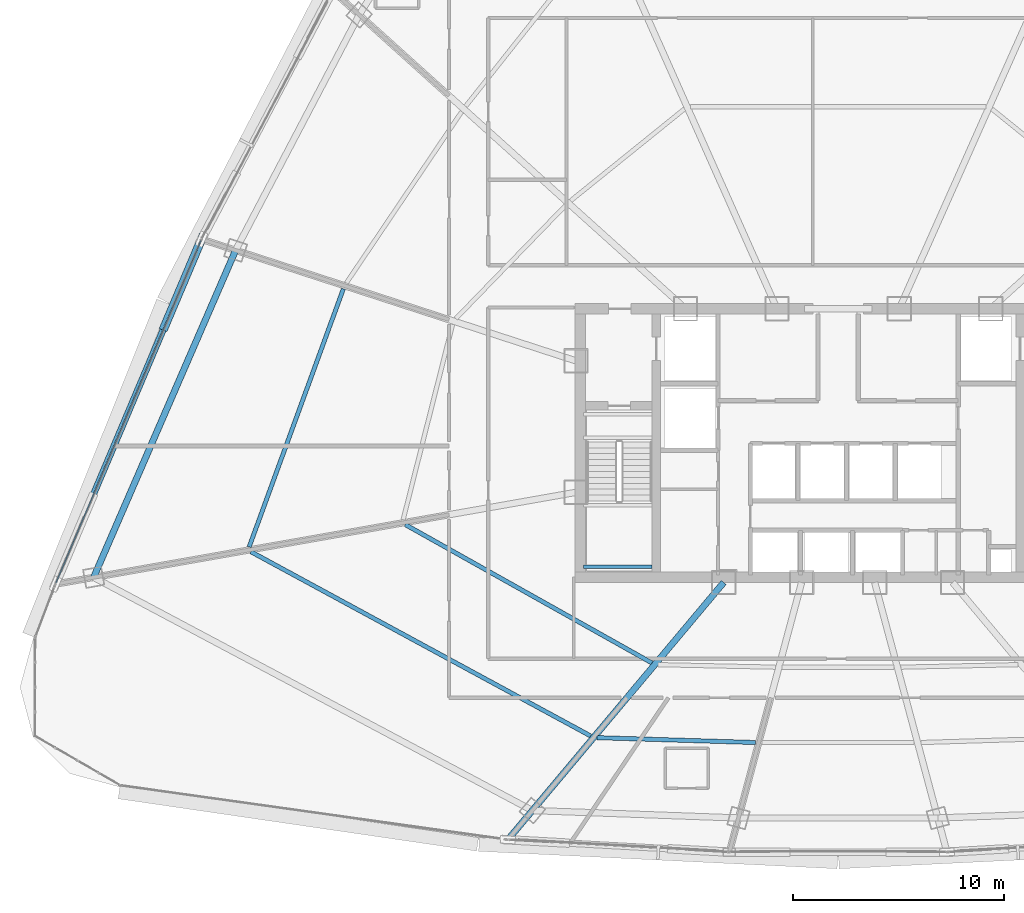
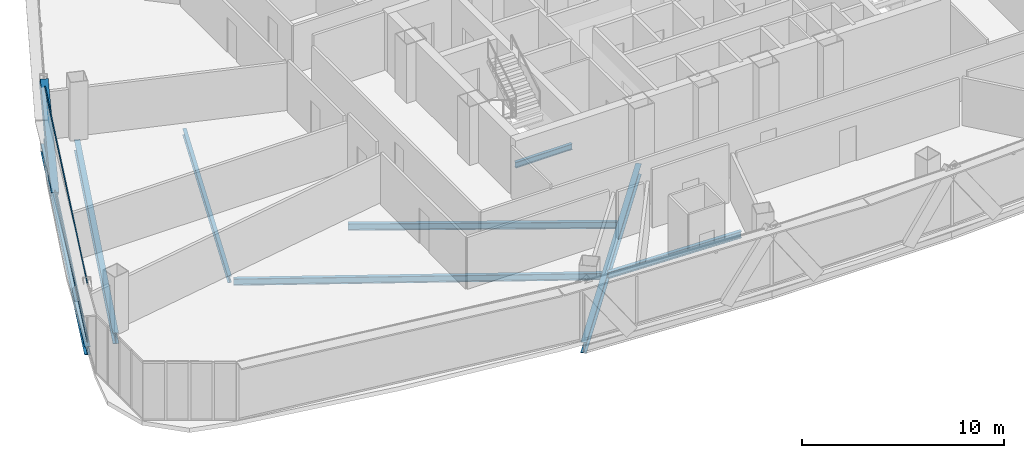
# One storey, part 7 of 38: 8 beams, 3 members, 1 element without a shape of its own.
"""IFC4 building model written with IfcOpenShell, lengths in metres."""

from ifc_helpers import new_model, si_unit, direction, frame, origin, origin_2d, place, context, subcontext, project, spatial, hollow_rectangle, i_section, extrude, source, transform, mapped, material, layer, layer_set, material_profile, profile_set, type_object, element, aggregate, save


model = new_model("IFC4")

# Units and contexts
model_context = context("Model", 3, precision=1e-05, world=origin(), true_north=direction((0.0, 1.0)))
body_context = subcontext(model_context, "Body", "Model", "MODEL_VIEW")
ifc_project = project(units=[si_unit("LENGTHUNIT", "METRE"), si_unit("AREAUNIT", "SQUARE_METRE"), si_unit("VOLUMEUNIT", "CUBIC_METRE"), si_unit("PLANEANGLEUNIT", "RADIAN"), si_unit("MASSUNIT", "GRAM", prefix="KILO"), si_unit("THERMODYNAMICTEMPERATUREUNIT", "KELVIN"), si_unit("POWERUNIT", "WATT")], contexts=[model_context])

# Site, building, storey
site_placement = place(None, origin())
site = spatial("IfcSite", under=ifc_project, at=site_placement, CompositionType="ELEMENT")
building_placement = place(site_placement, origin())
building = spatial("IfcBuilding", under=site, at=building_placement, Name="Yunzhuo Pagoda Commons", CompositionType="ELEMENT")
storey_placement = place(building_placement, frame((0.0, 0.0, 203.760009765625)))
storey = spatial("IfcBuildingStorey", under=building, at=storey_placement, Name="L51", CompositionType="ELEMENT", Elevation=203.760009765625)

# Beams
ifc_material_1 = material(Name="Structural steel Q355B", Category="steel")
ifc_material_profile_1 = material_profile(ifc_material_1, i_section(OverallWidth=0.175048828125, OverallDepth=0.35009765625, WebThickness=0.007080078125, FlangeThickness=0.010986328125, at=origin_2d()), Name="Structural steel Q355B")
ifc_profile_set_1 = profile_set([ifc_material_profile_1], Name="Structural steel Q355B")
beam_type_1 = type_object("IfcBeamType", Name="B-JS2 Joist HN 350x175x7x11", PredefinedType="JOIST", material=ifc_profile_set_1)
shared_shape_1 = source(origin(), body_context, "Body", "SweptSolid", [
    extrude(i_section(OverallWidth=0.175048828125, OverallDepth=0.35009765625, WebThickness=0.007080078125, FlangeThickness=0.010986328125, at=origin_2d()), origin(), (0.0, 0.0, 1.0), 3.25),
])
beam_1_placement = place(storey_placement, frame((35.949951171875, 28.0, 1.52490234375), z_axis=(1.0, 0.0, 0.0), x_axis=(0.0, 1.0, 0.0)))
element("IfcBeam", 1, at=beam_1_placement, inside=storey, type_object=beam_type_1, Name="L51 ST1 landing support beam 57A", PredefinedType="JOIST", context=body_context, shape_type="MappedRepresentation", body=[
    mapped(shared_shape_1, transform((0.0, 0.0, 0.0), scale=1.0)),
])
ifc_material_profile_2 = material_profile(ifc_material_1, i_section(OverallWidth=0.300048828125, OverallDepth=0.64990234375, WebThickness=0.012939453125, FlangeThickness=0.02197265625, at=origin_2d()), Name="Structural steel Q355B")
ifc_profile_set_2 = profile_set([ifc_material_profile_2], Name="Structural steel Q355B")
beam_type_2 = type_object("IfcBeamType", Name="B-RG2 Beam HN 650x300x13x22", PredefinedType="BEAM", material=ifc_profile_set_2)
shared_shape_2 = source(origin(), body_context, "Body", "SweptSolid", [
    extrude(i_section(OverallWidth=0.300048828125, OverallDepth=0.64990234375, WebThickness=0.012939453125, FlangeThickness=0.02197265625, at=origin_2d()), origin(), (0.0, 0.0, 1.0), 16.859619140625),
])
beam_2_placement = place(storey_placement, frame((19.50537109375, 42.95849609375, -0.5849609375), z_axis=(-0.398104384161, -0.917340121935, 0.0), x_axis=(0.917340121935, -0.398104384161, 0.0)))
element("IfcBeam", 2, at=beam_2_placement, inside=storey, type_object=beam_type_2, Name="L51 column-ring beam 11", PredefinedType="BEAM", context=body_context, shape_type="MappedRepresentation", body=[
    mapped(shared_shape_2, transform((0.0, 0.0, 0.0), scale=1.0)),
])
ifc_material_profile_3 = material_profile(ifc_material_1, i_section(OverallWidth=0.199951171875, OverallDepth=0.39990234375, WebThickness=0.008056640625, FlangeThickness=0.012939453125, at=origin_2d()), Name="Structural steel Q355B")
ifc_profile_set_3 = profile_set([ifc_material_profile_3], Name="Structural steel Q355B")
beam_type_3 = type_object("IfcBeamType", Name="B-JS1 Joist HN 400x200x8x13", PredefinedType="JOIST", material=ifc_profile_set_3)
shared_shape_3 = source(origin(), body_context, "Body", "SweptSolid", [
    extrude(i_section(OverallWidth=0.199951171875, OverallDepth=0.39990234375, WebThickness=0.008056640625, FlangeThickness=0.012939453125, at=origin_2d()), origin(), (0.0, 0.0, 1.0), 7.49365234375),
])
beam_3_placement = place(storey_placement, frame((36.593505859375, 19.911865234375, -0.4599609375), z_axis=(0.99952593018, -0.030788226605, 0.0), x_axis=(0.030788226605, 0.99952593018, 0.0)))
element("IfcBeam", 3, at=beam_3_placement, inside=storey, type_object=beam_type_3, Name="L51 composite ring joist 2.1", PredefinedType="JOIST", context=body_context, shape_type="MappedRepresentation", body=[
    mapped(shared_shape_3, transform((0.0, 0.0, 0.0), scale=1.0)),
])
shared_shape_4 = source(origin(), body_context, "Body", "SweptSolid", [
    extrude(i_section(OverallWidth=0.199951171875, OverallDepth=0.39990234375, WebThickness=0.008056640625, FlangeThickness=0.012939453125, at=origin_2d()), origin(), (0.0, 0.0, 1.0), 13.372802734375),
])
beam_4_placement = place(storey_placement, frame((27.5283203125, 29.988037109375, -0.4599609375), z_axis=(0.872150261016, -0.4892381038, 0.0), x_axis=(0.4892381038, 0.872150261016, 0.0)))
element("IfcBeam", 4, at=beam_4_placement, inside=storey, type_object=beam_type_3, Name="L51 composite ring joist 1.12", PredefinedType="JOIST", context=body_context, shape_type="MappedRepresentation", body=[
    mapped(shared_shape_4, transform((0.0, 0.0, 0.0), scale=1.0)),
])
shared_shape_5 = source(origin(), body_context, "Body", "SweptSolid", [
    extrude(i_section(OverallWidth=0.199951171875, OverallDepth=0.39990234375, WebThickness=0.008056640625, FlangeThickness=0.012939453125, at=origin_2d()), origin(), (0.0, 0.0, 1.0), 18.27294921875),
])
beam_5_placement = place(storey_placement, frame((20.2314453125, 28.703125, -0.4599609375), z_axis=(0.879067821824, -0.476696721861, 0.0), x_axis=(0.476696721861, 0.879067821824, 0.0)))
element("IfcBeam", 5, at=beam_5_placement, inside=storey, type_object=beam_type_3, Name="L51 composite ring joist 2.12", PredefinedType="JOIST", context=body_context, shape_type="MappedRepresentation", body=[
    mapped(shared_shape_5, transform((0.0, 0.0, 0.0), scale=1.0)),
])
shared_shape_6 = source(origin(), body_context, "Body", "SweptSolid", [
    extrude(i_section(OverallWidth=0.199951171875, OverallDepth=0.39990234375, WebThickness=0.008056640625, FlangeThickness=0.012939453125, at=origin_2d()), origin(), (0.0, 0.0, 1.0), 12.994873046875),
])
beam_6_placement = place(storey_placement, frame((24.60107421875, 41.1357421875, -0.4599609375), z_axis=(-0.342834977914, -0.939395645039, 0.0), x_axis=(0.939395645039, -0.342834977914, 0.0)))
element("IfcBeam", 6, at=beam_6_placement, inside=storey, type_object=beam_type_3, Name="L51 composite ring joist 2.11", PredefinedType="JOIST", context=body_context, shape_type="MappedRepresentation", body=[
    mapped(shared_shape_6, transform((0.0, 0.0, 0.0), scale=1.0)),
])
shared_shape_7 = source(origin(), body_context, "Body", "SweptSolid", [
    extrude(i_section(OverallWidth=0.300048828125, OverallDepth=0.64990234375, WebThickness=0.012939453125, FlangeThickness=0.02197265625, at=origin_2d()), origin(), (0.0, 0.0, 1.0), 15.728515625),
])
beam_7_placement = place(storey_placement, frame((32.477783203125, 15.201416015625, -0.5849609375), z_axis=(0.642793021252, 0.766039902244, 0.0), x_axis=(-0.766039902244, 0.642793021252, 0.0)))
element("IfcBeam", 7, at=beam_7_placement, inside=storey, type_object=beam_type_2, Name="L51 radial floor girder F1C1", PredefinedType="BEAM", context=body_context, shape_type="MappedRepresentation", body=[
    mapped(shared_shape_7, transform((0.0, 0.0, 0.0), scale=1.0)),
])
ifc_material_profile_4 = material_profile(ifc_material_1, i_section(OverallWidth=0.300048828125, OverallDepth=0.488037109375, WebThickness=0.010986328125, FlangeThickness=0.01806640625, at=origin_2d()), Name="Structural steel Q355B")
ifc_profile_set_4 = profile_set([ifc_material_profile_4], Name="Structural steel Q355B")
beam_type_4 = type_object("IfcBeamType", Name="B-SP1 Beam HM 488x300x11x18", PredefinedType="BEAM", material=ifc_profile_set_4)
shared_shape_8 = source(origin(), body_context, "Body", "SweptSolid", [
    extrude(i_section(OverallWidth=0.300048828125, OverallDepth=0.488037109375, WebThickness=0.010986328125, FlangeThickness=0.01806640625, at=origin_2d()), origin(), (0.0, 0.0, 1.0), 17.71142578125),
])
beam_8_placement = place(storey_placement, frame((17.892578125, 43.482421875, -0.503662109375), z_axis=(-0.389974526581, -0.92082564507, 0.0), x_axis=(0.92082564507, -0.389974526581, 0.0)))
element("IfcBeam", 8, at=beam_8_placement, inside=storey, type_object=beam_type_4, Name="L51 facade edge spandrel beam F3.3", PredefinedType="BEAM", context=body_context, shape_type="MappedRepresentation", body=[
    mapped(shared_shape_8, transform((0.0, 0.0, 0.0), scale=1.0)),
])

# Member
ifc_material_profile_5 = material_profile(ifc_material_1, hollow_rectangle(XDim=0.39990234375, YDim=0.719970703125, WallThickness=0.02392578125, at=origin_2d()), Name="Structural steel Q355B")
ifc_profile_set_5 = profile_set([ifc_material_profile_5], Name="Structural steel Q355B")
member_type_1 = type_object("IfcMemberType", Name="M-DL2 Brace BOX 720x400x24", PredefinedType="BRACE", material=ifc_profile_set_5)
shared_shape_9 = source(origin(), body_context, "Body", "SweptSolid", [
    extrude(hollow_rectangle(XDim=0.39990234375, YDim=0.719970703125, WallThickness=0.02392578125, at=origin_2d()), origin(), (0.0, 0.0, 1.0), 5.834716796875),
])
member_1_placement = place(storey_placement, frame((16.166015625, 39.4052734375, -0.260009765625), z_axis=(0.295909318561, 0.698767763004, 0.651276660548), x_axis=(-0.920836302377, 0.389949361102, 0.0)))
element("IfcMember", 9, at=member_1_placement, inside=storey, type_object=member_type_1, Name="L51 facade diamond brace F3.3L", PredefinedType="BRACE", context=body_context, shape_type="MappedRepresentation", body=[
    mapped(shared_shape_9, transform((0.0, 0.0, 0.0), scale=1.0)),
])

# Curtain wall, members
ifc_material_2 = material(Name="Anodized aluminium 6063-T6", Category="aluminium")
ifc_layer = layer(ifc_material_2, 0.14990234375)
ifc_layer_set = layer_set([ifc_layer], Name="Anodized aluminium 6063-T6")
curtain_wall_type = type_object("IfcCurtainWallType", Name="CW-MID Mid-Zone Ribbon Curtain Wall", PredefinedType="NOTDEFINED", material=ifc_layer_set)
curtain_wall_placement = place(storey_placement, origin())
curtain_wall = element("IfcCurtainWall", 10, at=curtain_wall_placement, inside=storey, type_object=curtain_wall_type, Name="L51 curtain wall CW-L51-F3B4", PredefinedType="NOTDEFINED")
ifc_material_profile_6 = material_profile(ifc_material_2, hollow_rectangle(XDim=0.054931640625, YDim=0.1298828125, WallThickness=0.00341796875, at=origin_2d()), Name="Anodized aluminium 6063-T6")
ifc_profile_set_6 = profile_set([ifc_material_profile_6], Name="Anodized aluminium 6063-T6")
member_type_2 = type_object("IfcMemberType", Name="CW-MID-T Transom RHS 130x55x3.5", PredefinedType="USERDEFINED", material=ifc_profile_set_6)
shared_shape_10 = source(origin(), body_context, "Body", "SweptSolid", [
    extrude(hollow_rectangle(XDim=0.054931640625, YDim=0.1298828125, WallThickness=0.00341796875, at=origin_2d()), origin(), (0.0, 0.0, 1.0), 17.591552734375),
])
member_2_placement = place(storey_placement, frame((17.869140625, 43.42724609375, 0.027587890625), z_axis=(-0.389979520637, -0.920823530045, 0.0), x_axis=(0.920823530045, -0.389979520637, 0.0)))
member_2 = element("IfcMember", 11, at=member_2_placement, type_object=member_type_2, Name="CW transom 1.1", ObjectType="TRANSOM", PredefinedType="USERDEFINED", context=body_context, shape_type="MappedRepresentation", body=[
    mapped(shared_shape_10, transform((0.0, 0.0, 0.0), scale=1.0)),
])
member_3_placement = place(storey_placement, frame((17.869140625, 43.42724609375, 3.512451171875), z_axis=(-0.389979520637, -0.920823530045, 0.0), x_axis=(0.920823530045, -0.389979520637, 0.0)))
member_3 = element("IfcMember", 12, at=member_3_placement, type_object=member_type_2, Name="CW transom 1.2", ObjectType="TRANSOM", PredefinedType="USERDEFINED", context=body_context, shape_type="MappedRepresentation", body=[
    mapped(shared_shape_10, transform((0.0, 0.0, 0.0), scale=1.0)),
])
aggregate(curtain_wall, [member_2, member_3])

save(model, "model.ifc")
